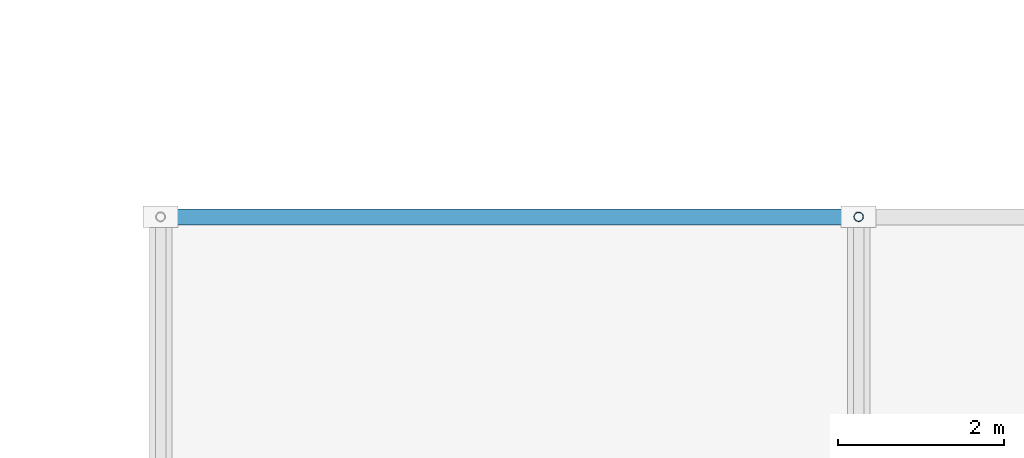
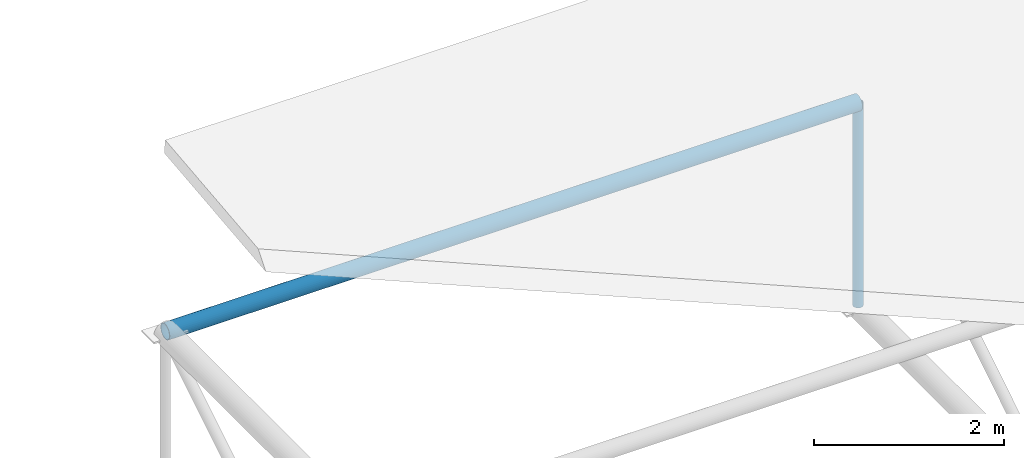
# One storey, part 29 of 140: 2 members.
"""IFC4 building model written with IfcOpenShell, lengths in metres."""

import ifcopenshell
import ifcopenshell.guid

model = None  # the IFC model being written
_history = None  # IfcOwnerHistory: only IFC2X3 demands one
_inside = {}  # id of a spatial element -> (the spatial element, [elements in it])
_under = {}  # id of a project, library or spatial element -> (it, [spatial elements below it])
_declared = {}  # id of a project -> (the project, [libraries it declares])
_typed = {}  # id of a type object -> (the type object, [elements of that type])
_made_of = {}  # id of a material, layer set ... -> (it, [elements and type objects made of it])


def new_model(schema):
    """Start an empty IFC model of exactly this schema.

    Asked for "IFC4X3", IfcOpenShell would pick the latest addendum, in which some entities
    have other attributes; the version numbers below select the first issue.
    IFC2X3 requires an IfcOwnerHistory on every rooted entity: one is made here for all.
    """
    global model, _history
    if schema == "IFC4X3":
        model = ifcopenshell.file(schema_version=(4, 3, 0, 0))
    else:
        model = ifcopenshell.file(schema=schema)
    _inside.clear()
    _under.clear()
    _declared.clear()
    _typed.clear()
    _made_of.clear()
    _history = None
    if model.schema == "IFC2X3":
        org = make("IfcOrganization", Name="unknown")
        user = make(
            "IfcPersonAndOrganization",
            ThePerson=make("IfcPerson", FamilyName="unknown"),
            TheOrganization=org,
        )
        app = make(
            "IfcApplication",
            ApplicationDeveloper=org,
            Version="unknown",
            ApplicationFullName="unknown",
            ApplicationIdentifier="unknown",
        )
        _history = make(
            "IfcOwnerHistory",
            OwningUser=user,
            OwningApplication=app,
            ChangeAction="ADDED",
            CreationDate=0,
        )
    return model


def make(cls, **values):
    """One entity of the class cls with the attributes given. An attribute that is None is left unset."""
    return model.create_entity(
        cls, **{name: value for name, value in values.items() if value is not None}
    )


def rooted(cls, **values):
    """An entity with a GlobalId (a new one), such as an element, a storey or a relation."""
    return make(cls, GlobalId=ifcopenshell.guid.new(), OwnerHistory=_history, **values)


def si_unit(unit_type, name, prefix=None):
    """IfcSIUnit, for example si_unit("LENGTHUNIT", "METRE", prefix="MILLI")."""
    return make("IfcSIUnit", UnitType=unit_type, Prefix=prefix, Name=name)


def assignment(units):
    """IfcUnitAssignment: the units of a project."""
    return None if units is None else make("IfcUnitAssignment", Units=units)


def point(xyz):
    """IfcCartesianPoint."""
    return None if xyz is None else make("IfcCartesianPoint", Coordinates=xyz)


def direction(xyz):
    """IfcDirection."""
    return None if xyz is None else make("IfcDirection", DirectionRatios=xyz)


def frame(location, z_axis=None, x_axis=None):
    """IfcAxis2Placement3D, a coordinate frame: its origin and axes. An axis left out is left unset."""
    return make(
        "IfcAxis2Placement3D",
        Location=point(location),
        Axis=direction(z_axis),
        RefDirection=direction(x_axis),
    )


def frame_2d(location, x_axis=None):
    """IfcAxis2Placement2D, a coordinate frame in the plane: its origin and x axis."""
    return make(
        "IfcAxis2Placement2D", Location=point(location), RefDirection=direction(x_axis)
    )


def origin():
    """The frame at (0, 0, 0) with its axes left unset."""
    return frame((0.0, 0.0, 0.0))


def origin_2d():
    """The frame at (0, 0) in the plane with its x axis left unset."""
    return frame_2d((0.0, 0.0))


def place(relative_to, where):
    """IfcLocalPlacement: puts the frame where relative to a parent placement (None: the world)."""
    return make(
        "IfcLocalPlacement", PlacementRelTo=relative_to, RelativePlacement=where
    )


def context(
    kind, dimensions, precision=None, world=None, true_north=None, identifier=None
):
    """IfcGeometricRepresentationContext, for example the 3D "Model" context."""
    return make(
        "IfcGeometricRepresentationContext",
        ContextIdentifier=identifier,
        ContextType=kind,
        CoordinateSpaceDimension=dimensions,
        Precision=precision,
        WorldCoordinateSystem=world,
        TrueNorth=true_north,
    )


def subcontext(parent, identifier, kind, view, scale=None):
    """IfcGeometricRepresentationSubContext, for example "Body" below "Model"."""
    return make(
        "IfcGeometricRepresentationSubContext",
        ContextIdentifier=identifier,
        ContextType=kind,
        ParentContext=parent,
        TargetScale=scale,
        TargetView=view,
    )


def project(units=None, contexts=None):
    """IfcProject with its units and contexts."""
    return rooted(
        "IfcProject",
        Name="project",
        RepresentationContexts=contexts,
        UnitsInContext=assignment(units),
    )


def spatial(cls, under=None, at=None, **own):
    """A site, building, storey or space (cls), placed at a placement, below another one or the project."""
    s = rooted(cls, ObjectPlacement=at, **own)
    if under is not None:
        _under.setdefault(under.id(), (under, []))[1].append(s)
    return s


def profile(cls, at=None, kind="AREA", **sizes):
    """A parametric profile (cls). Its sizes go by their IFC names, for example OverallWidth=200.0."""
    return make(cls, ProfileType=kind, Position=at, **sizes)


def hollow_circle(**sizes):
    """IfcCircleHollowProfileDef."""
    return profile("IfcCircleHollowProfileDef", **sizes)


def extrude(swept, where, along, depth):
    """IfcExtrudedAreaSolid: the profile swept, set in the frame where, extruded along a direction by depth."""
    return make(
        "IfcExtrudedAreaSolid",
        SweptArea=swept,
        Position=where,
        ExtrudedDirection=direction(along),
        Depth=depth,
    )


def shape(context_of_items, identifier, shape_type, items):
    """IfcShapeRepresentation: the items that make up one representation, for example the "Body"."""
    return make(
        "IfcShapeRepresentation",
        ContextOfItems=context_of_items,
        RepresentationIdentifier=identifier,
        RepresentationType=shape_type,
        Items=items,
    )


def material(Name=None, Category=None):
    """IfcMaterial."""
    return make("IfcMaterial", Name=Name, Category=Category)


def material_profile(
    of_material, cross_section, Name=None, Category=None, Priority=None
):
    """IfcMaterialProfile: a cross section and its material."""
    return make(
        "IfcMaterialProfile",
        Name=Name,
        Material=of_material,
        Profile=cross_section,
        Priority=Priority,
        Category=Category,
    )


def profile_set(profiles, Name=None, composite=None):
    """IfcMaterialProfileSet."""
    return make(
        "IfcMaterialProfileSet",
        Name=Name,
        MaterialProfiles=profiles,
        CompositeProfile=composite,
    )


def made_of(thing, what):
    """Note that an element or type object is made of a material, layer set ...; save() writes the relation."""
    if what is not None:
        _made_of.setdefault(what.id(), (what, []))[1].append(thing)
    return thing


def type_object(cls, material=None, **own):
    """A type object (cls), such as IfcWallType, which elements share."""
    return made_of(rooted(cls, **own), material)


def element(
    cls,
    number,
    at=None,
    inside=None,
    cuts=None,
    type_object=None,
    material=None,
    context=None,
    identifier="Body",
    shape_type=None,
    held_by="IfcProductDefinitionShape",
    body=None,
    shapes=None,
    **own,
):
    """One element of the class cls, such as IfcWall. Its Tag is "e" and its number.

    at: its placement. inside: the storey or other place that contains it. cuts: it is an
    opening in that element (IfcRelVoidsElement). A single representation is given by context,
    identifier, shape_type and body (its items); several are given by shapes. held_by: the class
    of the entity that holds the representations. save() writes the other relations.
    """
    e = rooted(cls, Tag="e%d" % number, ObjectPlacement=at, **own)
    if body is not None:
        shapes = [shape(context, identifier, shape_type, body)]
    if shapes is not None:
        e.Representation = make(held_by, Representations=shapes)
    if inside is not None:
        _inside.setdefault(inside.id(), (inside, []))[1].append(e)
    if cuts is not None:
        rooted(
            "IfcRelVoidsElement", RelatingBuildingElement=cuts, RelatedOpeningElement=e
        )
    if type_object is not None:
        _typed.setdefault(type_object.id(), (type_object, []))[1].append(e)
    return made_of(e, material)


def aggregate(whole, parts):
    """IfcRelAggregates: a whole, such as a stair, and the parts it consists of."""
    return rooted("IfcRelAggregates", RelatingObject=whole, RelatedObjects=parts)


def save(model, path):
    """Write the relations noted so far, then the file.

    IfcRelAggregates (storeys below a building ...), IfcRelContainedInSpatialStructure (elements
    in a storey), IfcRelDefinesByType, IfcRelAssociatesMaterial and IfcRelDeclares: one each for
    every whole, place, type object, material and project.
    """
    for whole, parts in _under.values():
        aggregate(whole, parts)
    for where, things in _inside.values():
        rooted(
            "IfcRelContainedInSpatialStructure",
            RelatedElements=things,
            RelatingStructure=where,
        )
    for kind, things in _typed.values():
        rooted("IfcRelDefinesByType", RelatedObjects=things, RelatingType=kind)
    for what, things in _made_of.values():
        rooted("IfcRelAssociatesMaterial", RelatedObjects=things, RelatingMaterial=what)
    for by, libraries in _declared.values():
        rooted("IfcRelDeclares", RelatingContext=by, RelatedDefinitions=libraries)
    model.write(path)


model = new_model("IFC4")

# Units and contexts
model_context = context("Model", 3, precision=1e-05, world=origin(), true_north=direction((0.0, 1.0)))
body_context = subcontext(model_context, "Body", "Model", "MODEL_VIEW")
ifc_project = project(units=[si_unit("LENGTHUNIT", "METRE"), si_unit("AREAUNIT", "SQUARE_METRE"), si_unit("VOLUMEUNIT", "CUBIC_METRE"), si_unit("PLANEANGLEUNIT", "RADIAN"), si_unit("MASSUNIT", "GRAM", prefix="KILO")], contexts=[model_context])

# Site, building, storey
site_placement = place(None, origin())
site = spatial("IfcSite", under=ifc_project, at=site_placement, CompositionType="ELEMENT")
building_placement = place(site_placement, origin())
building = spatial("IfcBuilding", under=site, at=building_placement, Name="Varnapada Polytechnic", CompositionType="ELEMENT")
storey_placement = place(building_placement, frame((0.0, 0.0, 13.800048828125)))
storey = spatial("IfcBuildingStorey", under=building, at=storey_placement, Name="L03", CompositionType="ELEMENT", Elevation=13.800048828125)

# Members
ifc_material = material(Name="Steel S355", Category="steel")
ifc_material_profile_1 = material_profile(ifc_material, hollow_circle(Radius=0.096923828125, WallThickness=0.00634765625, at=origin_2d()), Name="CHS 193.7x6.3")
ifc_profile_set_1 = profile_set([ifc_material_profile_1], Name="Steel S355")
member_type_1 = type_object("IfcMemberType", Name="Canopy space frame longitudinal chord SFC-03 (CHS 193.7x6.3)", PredefinedType="CHORD", material=ifc_profile_set_1)
member_1_placement = place(storey_placement, frame((75.60009765625, 25.199951171875, -1.35009765625), z_axis=(1.0, 0.0, 0.0), x_axis=(0.0, 1.0, 0.0)))
element("IfcMember", 1, at=member_1_placement, inside=storey, type_object=member_type_1, Name="Entrance canopy longitudinal chord 1.1", PredefinedType="CHORD", context=body_context, shape_type="SweptSolid", body=[
    extrude(hollow_circle(Radius=0.096923828125, WallThickness=0.00634765625, at=origin_2d()), origin(), (0.0, 0.0, 1.0), 8.39990234375),
])
ifc_material_profile_2 = material_profile(ifc_material, hollow_circle(Radius=0.05712890625, WallThickness=0.0048828125, at=origin_2d()), Name="CHS 114.3x5.0")
ifc_profile_set_2 = profile_set([ifc_material_profile_2], Name="Steel S355")
member_type_2 = type_object("IfcMemberType", Name="Canopy space frame web strut SFS-02 (CHS 114.3x5.0)", PredefinedType="STRUT", material=ifc_profile_set_2)
member_2_placement = place(storey_placement, frame((84.0, 25.199951171875, -3.949951171875), z_axis=(0.0, 0.0, 1.0), x_axis=(1.0, 0.0, 0.0)))
element("IfcMember", 2, at=member_2_placement, inside=storey, type_object=member_type_2, Name="Entrance canopy space frame post 2.1", PredefinedType="STRUT", context=body_context, shape_type="SweptSolid", body=[
    extrude(hollow_circle(Radius=0.05712890625, WallThickness=0.0048828125, at=origin_2d()), origin(), (0.0, 0.0, 1.0), 2.599853515625),
])

save(model, "model.ifc")
